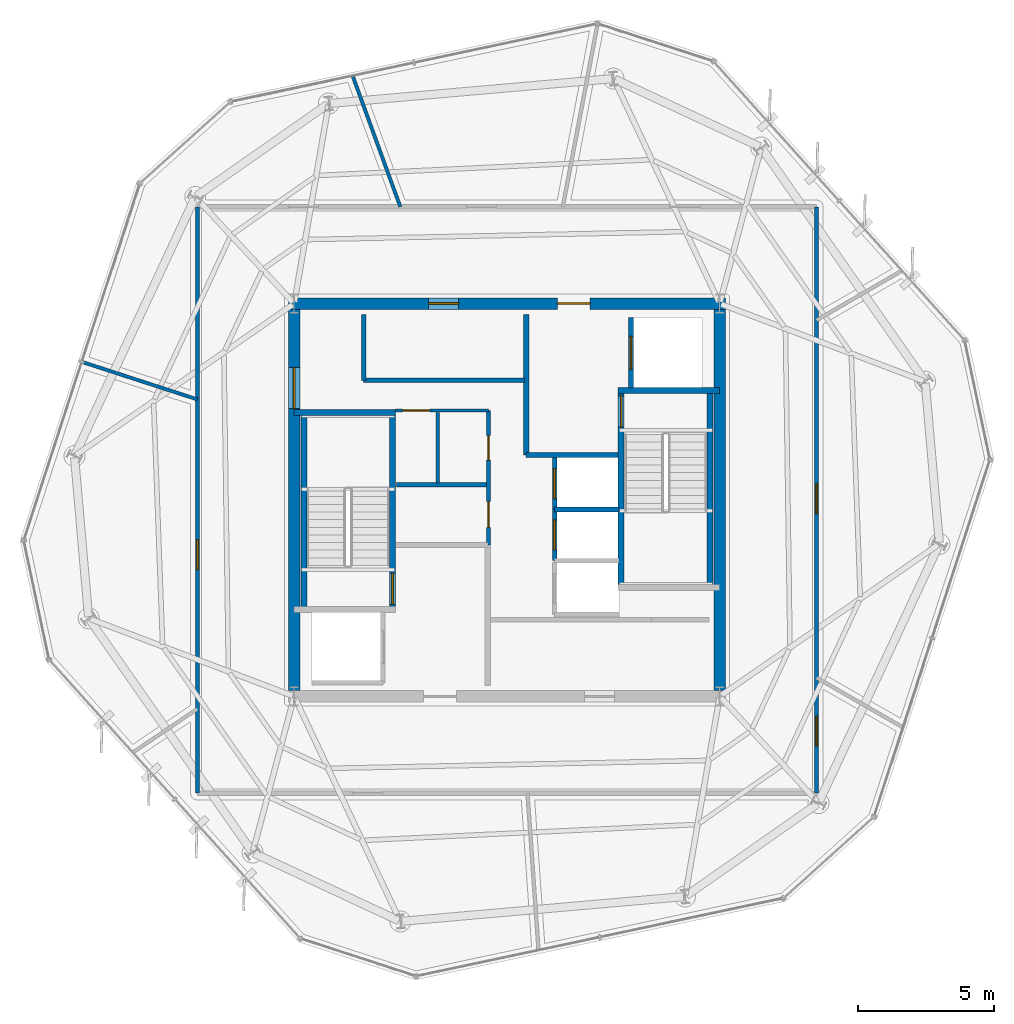
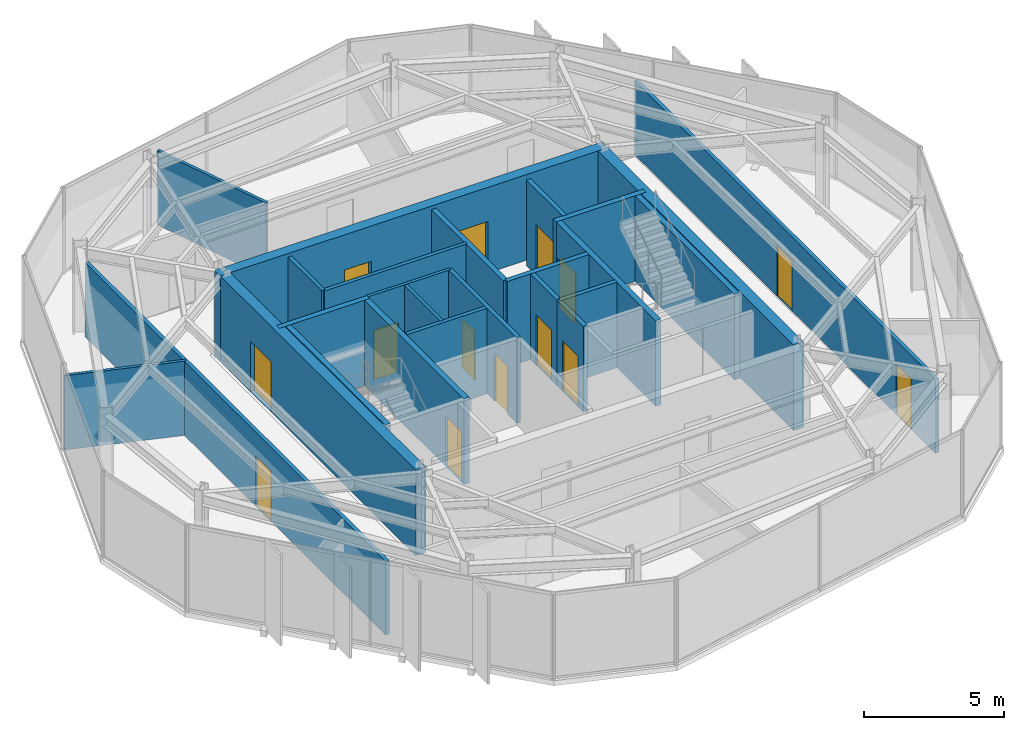
# One storey, part 8 of 13: 25 walls, 14 doors, 14 openings.
"""IFC4 building model written with IfcOpenShell, lengths in metres."""

from ifc_helpers import new_model, si_unit, direction, frame, frame_2d, origin, place, context, subcontext, project, spatial, rectangle, extrude, material, layer, layer_set, type_object, element, fill, save


model = new_model("IFC4")

# Units and contexts
model_context = context("Model", 3, precision=1e-05, world=origin(), true_north=direction((0.0, 1.0)))
body_context = subcontext(model_context, "Body", "Model", "MODEL_VIEW")
ifc_project = project(units=[si_unit("LENGTHUNIT", "METRE"), si_unit("AREAUNIT", "SQUARE_METRE"), si_unit("VOLUMEUNIT", "CUBIC_METRE"), si_unit("PLANEANGLEUNIT", "RADIAN"), si_unit("MASSUNIT", "GRAM", prefix="KILO")], contexts=[model_context])

# Site, building, storey
site_placement = place(None, origin())
site = spatial("IfcSite", under=ifc_project, at=site_placement, CompositionType="ELEMENT")
building_placement = place(site_placement, origin())
building = spatial("IfcBuilding", under=site, at=building_placement, Name="Kranzbogen Civic Tower", CompositionType="ELEMENT")
storey_placement = place(building_placement, frame((0.0, 0.0, 314.199951171875)))
storey = spatial("IfcBuildingStorey", under=building, at=storey_placement, Name="L76", CompositionType="ELEMENT", Elevation=314.199951171875)

# Walls
ifc_material_1 = material(Name="Double-Stud Acoustic Gypsum Partition")
ifc_layer_1 = layer(ifc_material_1, 0.14990234375, Name="Double-Stud Acoustic Gypsum Partition")
ifc_layer_set_1 = layer_set([ifc_layer_1], Name="Double-Stud Acoustic Gypsum Partition")
wall_type_1 = type_object("IfcWallType", Name="Acoustic Corridor and Clinical Partition 150 mm", PredefinedType="PARTITIONING", material=ifc_layer_set_1)
wall_1_placement = place(storey_placement, frame((19.75, 29.389892578125, 0.0), z_axis=(0.0, 0.0, 1.0), x_axis=(1.0, 0.0, 0.0)))
element("IfcWall", 1, at=wall_1_placement, inside=storey, type_object=wall_type_1, Name="L76 digital comms South wall", PredefinedType="PARTITIONING", context=body_context, shape_type="SweptSolid", body=[
    extrude(rectangle(XDim=5.89990234375, YDim=0.14990234375, at=frame_2d((2.949951171875, 0.0))), origin(), (0.0, 0.0, 1.0), 3.739990234375),
])
wall_2_placement = place(storey_placement, frame((19.75, 29.389892578125, 0.0), z_axis=(0.0, 0.0, 1.0), x_axis=(0.0, 1.0, 0.0)))
element("IfcWall", 2, at=wall_2_placement, inside=storey, type_object=wall_type_1, Name="L76 digital comms West wall", PredefinedType="PARTITIONING", context=body_context, shape_type="SweptSolid", body=[
    extrude(rectangle(XDim=2.41015625, YDim=0.14990234375, at=frame_2d((1.205078125, 0.0))), origin(), (0.0, 0.0, 1.0), 3.739990234375),
])

# Wall, openings, doors
wall_3_placement = place(storey_placement, frame((36.35009765625, 35.75, 0.0), z_axis=(0.0, 0.0, 1.0), x_axis=(0.0, -1.0, 0.0)))
wall_3 = element("IfcWall", 3, at=wall_3_placement, inside=storey, type_object=wall_type_1, Name="L76 corridor partition 02", PredefinedType="PARTITIONING", context=body_context, shape_type="SweptSolid", body=[
    extrude(rectangle(XDim=21.5, YDim=0.14990234375, at=frame_2d((10.75, 0.0))), origin(), (0.0, 0.0, 1.0), 3.239990234375),
])
opening_1_placement = place(wall_3_placement, frame((18.673095703125, 0.0, 0.0)))
opening_1 = element("IfcOpeningElement", 4, at=opening_1_placement, cuts=wall_3, Name="Opening D-COR60", PredefinedType="OPENING", context=body_context, shape_type="SweptSolid", body=[
    extrude(rectangle(XDim=1.10009765625, YDim=2.199951171875, at=frame_2d((0.550048828125, 1.10009765625))), frame((0.0, 0.0849609375, 0.0), z_axis=(0.0, -1.0, 0.0), x_axis=(1.0, 0.0, 0.0)), (0.0, 0.0, 1.0), 0.169921875),
])
opening_2_placement = place(wall_3_placement, frame((10.1630859375, 0.0, 0.0)))
opening_2 = element("IfcOpeningElement", 5, at=opening_2_placement, cuts=wall_3, Name="Opening D-COR60", PredefinedType="OPENING", context=body_context, shape_type="SweptSolid", body=[
    extrude(rectangle(XDim=1.10009765625, YDim=2.199951171875, at=frame_2d((0.550048828125, 1.10009765625))), frame((0.0, 0.0849609375, 0.0), z_axis=(0.0, -1.0, 0.0), x_axis=(1.0, 0.0, 0.0)), (0.0, 0.0, 1.0), 0.169921875),
])
ifc_material_2 = material(Name="Oak Timber and Fire Core", Category="wood")
door_type_1 = type_object("IfcDoorType", Name="Corridor Acoustic Fire Door 1100x2200", OperationType="NOTDEFINED", PredefinedType="DOOR", material=ifc_material_2)
door_1_placement = place(opening_1_placement, origin())
door_1 = element("IfcDoor", 6, at=door_1_placement, inside=storey, type_object=door_type_1, Name="L76 Duty Crew Control Room door", OperationType="SINGLE_SWING_RIGHT", OverallHeight=2.199951171875, OverallWidth=1.10009765625, PredefinedType="DOOR", context=body_context, shape_type="SweptSolid", body=[
    extrude(rectangle(XDim=1.10009765625, YDim=2.199951171875, at=frame_2d((0.550048828125, 1.10009765625))), frame((0.0, 0.02490234375, 0.0), z_axis=(0.0, -1.0, 0.0), x_axis=(1.0, 0.0, 0.0)), (0.0, 0.0, 1.0), 0.050048828125),
])
fill(opening_1, door_1)
door_2_placement = place(opening_2_placement, origin())
door_2 = element("IfcDoor", 7, at=door_2_placement, inside=storey, type_object=door_type_1, Name="L76 Citizen Services Kiosk door", OperationType="SINGLE_SWING_LEFT", OverallHeight=2.199951171875, OverallWidth=1.10009765625, PredefinedType="DOOR", context=body_context, shape_type="SweptSolid", body=[
    extrude(rectangle(XDim=1.10009765625, YDim=2.199951171875, at=frame_2d((0.550048828125, 1.10009765625))), frame((0.0, 0.02490234375, 0.0), z_axis=(0.0, -1.0, 0.0), x_axis=(1.0, 0.0, 0.0)), (0.0, 0.0, 1.0), 0.050048828125),
])
fill(opening_2, door_2)

# Wall, opening, door
wall_4_placement = place(storey_placement, frame((13.64990234375, 14.25, 0.0), z_axis=(0.0, 0.0, 1.0), x_axis=(0.0, 1.0, 0.0)))
wall_4 = element("IfcWall", 8, at=wall_4_placement, inside=storey, type_object=wall_type_1, Name="L76 corridor partition 04", PredefinedType="PARTITIONING", context=body_context, shape_type="SweptSolid", body=[
    extrude(rectangle(XDim=21.5, YDim=0.14990234375, at=frame_2d((10.75, 0.0))), origin(), (0.0, 0.0, 1.0), 3.239990234375),
])
opening_3_placement = place(wall_4_placement, frame((8.197021484375, 0.0, 0.0)))
opening_3 = element("IfcOpeningElement", 9, at=opening_3_placement, cuts=wall_4, Name="Opening D-COR60", PredefinedType="OPENING", context=body_context, shape_type="SweptSolid", body=[
    extrude(rectangle(XDim=1.10009765625, YDim=2.199951171875, at=frame_2d((0.550048828125, 1.10009765625))), frame((0.0, 0.0849609375, 0.0), z_axis=(0.0, -1.0, 0.0), x_axis=(1.0, 0.0, 0.0)), (0.0, 0.0, 1.0), 0.169921875),
])
door_3_placement = place(opening_3_placement, origin())
door_3 = element("IfcDoor", 10, at=door_3_placement, inside=storey, type_object=door_type_1, Name="L76 Operations Security Control Room door", OperationType="SINGLE_SWING_RIGHT", OverallHeight=2.199951171875, OverallWidth=1.10009765625, PredefinedType="DOOR", context=body_context, shape_type="SweptSolid", body=[
    extrude(rectangle(XDim=1.10009765625, YDim=2.199951171875, at=frame_2d((0.550048828125, 1.10009765625))), frame((0.0, 0.02490234375, 0.0), z_axis=(0.0, -1.0, 0.0), x_axis=(1.0, 0.0, 0.0)), (0.0, 0.0, 1.0), 0.050048828125),
])
fill(opening_3, door_3)

ifc_material_3 = material(Name="Insulated Metal-Stud Gypsum Partition")
ifc_layer_2 = layer(ifc_material_3, 0.125, Name="Insulated Metal-Stud Gypsum Partition")
ifc_layer_set_2 = layer_set([ifc_layer_2], Name="Insulated Metal-Stud Gypsum Partition")
wall_type_2 = type_object("IfcWallType", Name="Acoustic Inter-Room Partition 125 mm", PredefinedType="PARTITIONING", material=ifc_layer_set_2)
wall_5_placement = place(storey_placement, frame((20.919921875, 28.280029296875, 0.0), z_axis=(0.0, 0.0, 1.0), x_axis=(1.0, 0.0, 0.0)))
wall_5 = element("IfcWall", 11, at=wall_5_placement, inside=storey, type_object=wall_type_2, Name="L76 core auxiliary North wall", PredefinedType="PARTITIONING", context=body_context, shape_type="SweptSolid", body=[
    extrude(rectangle(XDim=3.405029296875, YDim=0.125, at=frame_2d((1.70263671875, 0.0))), origin(), (0.0, 0.0, 1.0), 3.739990234375),
])
opening_4_placement = place(wall_5_placement, frame((0.2548828125, 0.0, 0.0)))
opening_4 = element("IfcOpeningElement", 12, at=opening_4_placement, cuts=wall_5, Name="Opening D-RSR10", PredefinedType="OPENING", context=body_context, shape_type="SweptSolid", body=[
    extrude(rectangle(XDim=1.0, YDim=2.14990234375, at=frame_2d((0.5, 1.074951171875))), frame((0.0, 0.072509765625, 0.0), z_axis=(0.0, -1.0, 0.0), x_axis=(1.0, 0.0, 0.0)), (0.0, 0.0, 1.0), 0.14501953125),
])
door_type_2 = type_object("IfcDoorType", Name="Core Archive and Riser Fire Door 1000x2150", OperationType="NOTDEFINED", PredefinedType="DOOR", material=ifc_material_2)
door_4_placement = place(opening_4_placement, origin())
door_4 = element("IfcDoor", 13, at=door_4_placement, inside=storey, type_object=door_type_2, Name="L76 Telecom and Riser Room door", OperationType="SINGLE_SWING_RIGHT", OverallHeight=2.14990234375, OverallWidth=1.0, PredefinedType="DOOR", context=body_context, shape_type="SweptSolid", body=[
    extrude(rectangle(XDim=1.0, YDim=2.14990234375, at=frame_2d((0.5, 1.074951171875))), frame((0.0, 0.02490234375, 0.0), z_axis=(0.0, -1.0, 0.0), x_axis=(1.0, 0.0, 0.0)), (0.0, 0.0, 1.0), 0.050048828125),
])
fill(opening_4, door_4)

# Walls
wall_6_placement = place(storey_placement, frame((22.4599609375, 25.6201171875, 0.0), z_axis=(0.0, 0.0, 1.0), x_axis=(0.0, 1.0, 0.0)))
element("IfcWall", 14, at=wall_6_placement, inside=storey, type_object=wall_type_2, Name="L76 core auxiliary partition 2", PredefinedType="PARTITIONING", context=body_context, shape_type="SweptSolid", body=[
    extrude(rectangle(XDim=2.579833984375, YDim=0.125, at=frame_2d((1.2900390625, 0.0))), origin(), (0.0, 0.0, 1.0), 3.739990234375),
])
wall_7_placement = place(storey_placement, frame((21.090087890625, 35.75, 0.0), z_axis=(0.0, 0.0, 1.0), x_axis=(-0.341685321623, 0.939814418376, 0.0)))
element("IfcWall", 15, at=wall_7_placement, inside=storey, type_object=wall_type_2, Name="L76 radial room partition 01", PredefinedType="PARTITIONING", context=body_context, shape_type="SweptSolid", body=[
    extrude(rectangle(XDim=5.09228515625, YDim=0.125, at=frame_2d((2.546142578125, 0.0))), origin(), (0.0, 0.0, 1.0), 3.239990234375),
])
wall_8_placement = place(storey_placement, frame((13.64990234375, 28.68798828125, 0.0), z_axis=(0.0, 0.0, 1.0), x_axis=(-0.951060347847, 0.309005201823, 0.0)))
element("IfcWall", 16, at=wall_8_placement, inside=storey, type_object=wall_type_2, Name="L76 radial room partition 02", PredefinedType="PARTITIONING", context=body_context, shape_type="SweptSolid", body=[
    extrude(rectangle(XDim=4.43701171875, YDim=0.125, at=frame_2d((2.218505859375, 0.0))), origin(), (0.0, 0.0, 1.0), 3.239990234375),
])

# Wall, openings, doors
ifc_material_4 = material(Name="Concrete C45/55", Category="concrete")
ifc_layer_3 = layer(ifc_material_4, 0.419921875, Name="Concrete C45/55")
ifc_layer_set_3 = layer_set([ifc_layer_3], Name="Concrete C45/55")
wall_type_3 = type_object("IfcWallType", Name="Central Core Shear Wall 420 mm", PredefinedType="SHEAR", material=ifc_layer_set_3)
wall_9_placement = place(storey_placement, frame((33.010009765625, 32.199951171875, 0.0), z_axis=(0.0, 0.0, 1.0), x_axis=(-1.0, 0.0, 0.0)))
wall_9 = element("IfcWall", 17, at=wall_9_placement, inside=storey, type_object=wall_type_3, Name="L76 central core North shear wall", PredefinedType="SHEAR", context=body_context, shape_type="SweptSolid", body=[
    extrude(rectangle(XDim=16.02001953125, YDim=0.419921875, at=frame_2d((8.010009765625, 0.0))), origin(), (0.0, 0.0, 1.0), 3.739990234375),
])
opening_5_placement = place(wall_9_placement, frame((4.9599609375, 0.0, 0.0)))
opening_5 = element("IfcOpeningElement", 18, at=opening_5_placement, cuts=wall_9, Name="Opening D-EX120", PredefinedType="OPENING", context=body_context, shape_type="SweptSolid", body=[
    extrude(rectangle(XDim=1.199951171875, YDim=2.25, at=frame_2d((0.60009765625, 1.125))), frame((0.0, 0.219970703125, 0.0), z_axis=(0.0, -1.0, 0.0), x_axis=(1.0, 0.0, 0.0)), (0.0, 0.0, 1.0), 0.43994140625),
])
opening_6_placement = place(wall_9_placement, frame((9.784912109375, 0.0, 0.0)))
opening_6 = element("IfcOpeningElement", 19, at=opening_6_placement, cuts=wall_9, Name="Opening D-COR60", PredefinedType="OPENING", context=body_context, shape_type="SweptSolid", body=[
    extrude(rectangle(XDim=1.10009765625, YDim=2.199951171875, at=frame_2d((0.550048828125, 1.10009765625))), frame((0.0, 0.219970703125, 0.0), z_axis=(0.0, -1.0, 0.0), x_axis=(1.0, 0.0, 0.0)), (0.0, 0.0, 1.0), 0.43994140625),
])
door_5_placement = place(opening_6_placement, origin())
door_5 = element("IfcDoor", 20, at=door_5_placement, inside=storey, type_object=door_type_1, Name="L76 DAT1 comms room door", OperationType="SINGLE_SWING_LEFT", OverallHeight=2.199951171875, OverallWidth=1.10009765625, PredefinedType="DOOR", context=body_context, shape_type="SweptSolid", body=[
    extrude(rectangle(XDim=1.10009765625, YDim=2.199951171875, at=frame_2d((0.550048828125, 1.10009765625))), frame((0.0, 0.02490234375, 0.0), z_axis=(0.0, -1.0, 0.0), x_axis=(1.0, 0.0, 0.0)), (0.0, 0.0, 1.0), 0.050048828125),
])
fill(opening_6, door_5)
ifc_material_5 = material(Name="Steel S355", Category="steel")
door_type_3 = type_object("IfcDoorType", Name="Exit Passageway Fire Door 1200x2250", OperationType="NOTDEFINED", PredefinedType="DOOR", material=ifc_material_5)
door_6_placement = place(opening_5_placement, origin())
door_6 = element("IfcDoor", 21, at=door_6_placement, inside=storey, type_object=door_type_3, Name="L76 East firefighting lobby corridor door", OperationType="SINGLE_SWING_RIGHT", OverallHeight=2.25, OverallWidth=1.199951171875, PredefinedType="DOOR", context=body_context, shape_type="SweptSolid", body=[
    extrude(rectangle(XDim=1.199951171875, YDim=2.25, at=frame_2d((0.60009765625, 1.125))), frame((0.0, 0.02490234375, 0.0), z_axis=(0.0, -1.0, 0.0), x_axis=(1.0, 0.0, 0.0)), (0.0, 0.0, 1.0), 0.050048828125),
])
fill(opening_5, door_6)

# Wall, opening, door
wall_10_placement = place(storey_placement, frame((17.199951171875, 31.989990234375, 0.0), z_axis=(0.0, 0.0, 1.0), x_axis=(0.0, -1.0, 0.0)))
wall_10 = element("IfcWall", 22, at=wall_10_placement, inside=storey, type_object=wall_type_3, Name="L76 central core West shear wall", PredefinedType="SHEAR", context=body_context, shape_type="SweptSolid", body=[
    extrude(rectangle(XDim=13.97998046875, YDim=0.419921875, at=frame_2d((6.989990234375, 0.0))), origin(), (0.0, 0.0, 1.0), 3.739990234375),
])
opening_7_placement = place(wall_10_placement, frame((2.139892578125, 0.0, 0.0)))
opening_7 = element("IfcOpeningElement", 23, at=opening_7_placement, cuts=wall_10, Name="Opening D-DBL15", PredefinedType="OPENING", context=body_context, shape_type="SweptSolid", body=[
    extrude(rectangle(XDim=1.5, YDim=2.199951171875, at=frame_2d((0.75, 1.10009765625))), frame((0.0, 0.219970703125, 0.0), z_axis=(0.0, -1.0, 0.0), x_axis=(1.0, 0.0, 0.0)), (0.0, 0.0, 1.0), 0.43994140625),
])
ifc_material_6 = material(Name="Anodised Bronze and Glass", Category="glass")
door_type_4 = type_object("IfcDoorType", Name="Civic Lobby Double Door 1500x2200", OperationType="DOUBLE_DOOR_SINGLE_SWING", PredefinedType="DOOR", material=ifc_material_6)
door_7_placement = place(opening_7_placement, origin())
door_7 = element("IfcDoor", 24, at=door_7_placement, inside=storey, type_object=door_type_4, Name="L76 Central Lift Lobby West concourse door", OperationType="DOUBLE_DOOR_SINGLE_SWING", OverallHeight=2.199951171875, OverallWidth=1.5, PredefinedType="DOOR", context=body_context, shape_type="SweptSolid", body=[
    extrude(rectangle(XDim=1.5, YDim=2.199951171875, at=frame_2d((0.75, 1.10009765625))), frame((0.0, 0.02490234375, 0.0), z_axis=(0.0, -1.0, 0.0), x_axis=(1.0, 0.0, 0.0)), (0.0, 0.0, 1.0), 0.050048828125),
])
fill(opening_7, door_7)

# Wall
wall_11_placement = place(storey_placement, frame((32.800048828125, 18.010009765625, 0.0), z_axis=(0.0, 0.0, 1.0), x_axis=(0.0, 1.0, 0.0)))
element("IfcWall", 25, at=wall_11_placement, inside=storey, type_object=wall_type_3, Name="L76 central core East shear wall", PredefinedType="SHEAR", context=body_context, shape_type="SweptSolid", body=[
    extrude(rectangle(XDim=13.97998046875, YDim=0.419921875, at=frame_2d((6.989990234375, 0.0))), origin(), (0.0, 0.0, 1.0), 3.739990234375),
])

# Wall, opening, door
ifc_layer_4 = layer(ifc_material_4, 0.219970703125, Name="Concrete C45/55")
ifc_layer_set_4 = layer_set([ifc_layer_4], Name="Concrete C45/55")
wall_type_4 = type_object("IfcWallType", Name="Core Internal Stair Structural Wall 220 mm", PredefinedType="SOLIDWALL", material=ifc_layer_set_4)
wall_12_placement = place(storey_placement, frame((20.81005859375, 20.989990234375, 0.0), z_axis=(0.0, 0.0, 1.0), x_axis=(0.0, 1.0, 0.0)))
wall_12 = element("IfcWall", 26, at=wall_12_placement, inside=storey, type_object=wall_type_4, Name="L76 ST-T1 East structural stair wall", PredefinedType="SOLIDWALL", context=body_context, shape_type="SweptSolid", body=[
    extrude(rectangle(XDim=7.219970703125, YDim=0.219970703125, at=frame_2d((3.60986328125, 0.0))), origin(), (0.0, 0.0, 1.0), 3.739990234375),
])
opening_8_placement = place(wall_12_placement, frame((0.179931640625, 0.0, 0.0)))
opening_8 = element("IfcOpeningElement", 27, at=opening_8_placement, cuts=wall_12, Name="Opening D-ST90", PredefinedType="OPENING", context=body_context, shape_type="SweptSolid", body=[
    extrude(rectangle(XDim=1.14990234375, YDim=2.199951171875, at=frame_2d((0.574951171875, 1.10009765625))), frame((0.0, 0.1201171875, 0.0), z_axis=(0.0, -1.0, 0.0), x_axis=(1.0, 0.0, 0.0)), (0.0, 0.0, 1.0), 0.239990234375),
])
door_type_5 = type_object("IfcDoorType", Name="Pressurized Stair and Lobby Fire Door 1150x2200", OperationType="NOTDEFINED", PredefinedType="DOOR", material=ifc_material_5)
door_8_placement = place(opening_8_placement, origin())
door_8 = element("IfcDoor", 28, at=door_8_placement, inside=storey, type_object=door_type_5, Name="L76 Stair ST-T1 fire door", OperationType="SINGLE_SWING_LEFT", OverallHeight=2.199951171875, OverallWidth=1.14990234375, PredefinedType="DOOR", context=body_context, shape_type="SweptSolid", body=[
    extrude(rectangle(XDim=1.14990234375, YDim=2.199951171875, at=frame_2d((0.574951171875, 1.10009765625))), frame((0.0, 0.02490234375, 0.0), z_axis=(0.0, -1.0, 0.0), x_axis=(1.0, 0.0, 0.0)), (0.0, 0.0, 1.0), 0.050048828125),
])
fill(opening_8, door_8)

# Walls
wall_13_placement = place(storey_placement, frame((17.199951171875, 28.2099609375, 0.0), z_axis=(0.0, 0.0, 1.0), x_axis=(1.0, 0.0, 0.0)))
element("IfcWall", 29, at=wall_13_placement, inside=storey, type_object=wall_type_4, Name="L76 ST-T1 North structural stair wall", PredefinedType="SOLIDWALL", context=body_context, shape_type="SweptSolid", body=[
    extrude(rectangle(XDim=3.719970703125, YDim=0.219970703125, at=frame_2d((1.85986328125, 0.0))), origin(), (0.0, 0.0, 1.0), 3.739990234375),
])
wall_14_placement = place(storey_placement, frame((17.554931640625, 28.2099609375, 0.0), z_axis=(0.0, 0.0, 1.0), x_axis=(0.0, -1.0, 0.0)))
element("IfcWall", 30, at=wall_14_placement, inside=storey, type_object=wall_type_4, Name="L76 ST-T1 West structural stair wall", PredefinedType="SOLIDWALL", context=body_context, shape_type="SweptSolid", body=[
    extrude(rectangle(XDim=7.219970703125, YDim=0.219970703125, at=frame_2d((3.60986328125, 0.0))), origin(), (0.0, 0.0, 1.0), 3.739990234375),
])

# Wall, opening, door
wall_15_placement = place(storey_placement, frame((29.18994140625, 21.7900390625, 0.0), z_axis=(0.0, 0.0, 1.0), x_axis=(0.0, 1.0, 0.0)))
wall_15 = element("IfcWall", 31, at=wall_15_placement, inside=storey, type_object=wall_type_4, Name="L76 ST-T2 West structural stair wall", PredefinedType="SOLIDWALL", context=body_context, shape_type="SweptSolid", body=[
    extrude(rectangle(XDim=7.219970703125, YDim=0.219970703125, at=frame_2d((3.60986328125, 0.0))), origin(), (0.0, 0.0, 1.0), 3.739990234375),
])
opening_9_placement = place(wall_15_placement, frame((5.8798828125, 0.0, 0.0)))
opening_9 = element("IfcOpeningElement", 32, at=opening_9_placement, cuts=wall_15, Name="Opening D-ST90", PredefinedType="OPENING", context=body_context, shape_type="SweptSolid", body=[
    extrude(rectangle(XDim=1.14990234375, YDim=2.199951171875, at=frame_2d((0.574951171875, 1.10009765625))), frame((0.0, 0.1201171875, 0.0), z_axis=(0.0, -1.0, 0.0), x_axis=(1.0, 0.0, 0.0)), (0.0, 0.0, 1.0), 0.239990234375),
])
door_9_placement = place(opening_9_placement, origin())
door_9 = element("IfcDoor", 33, at=door_9_placement, inside=storey, type_object=door_type_5, Name="L76 Stair ST-T2 fire door", OperationType="SINGLE_SWING_RIGHT", OverallHeight=2.199951171875, OverallWidth=1.14990234375, PredefinedType="DOOR", context=body_context, shape_type="SweptSolid", body=[
    extrude(rectangle(XDim=1.14990234375, YDim=2.199951171875, at=frame_2d((0.574951171875, 1.10009765625))), frame((0.0, 0.02490234375, 0.0), z_axis=(0.0, -1.0, 0.0), x_axis=(1.0, 0.0, 0.0)), (0.0, 0.0, 1.0), 0.050048828125),
])
fill(opening_9, door_9)

# Walls
wall_16_placement = place(storey_placement, frame((29.080078125, 29.010009765625, 0.0), z_axis=(0.0, 0.0, 1.0), x_axis=(1.0, 0.0, 0.0)))
element("IfcWall", 34, at=wall_16_placement, inside=storey, type_object=wall_type_4, Name="L76 ST-T2 North structural stair wall", PredefinedType="SOLIDWALL", context=body_context, shape_type="SweptSolid", body=[
    extrude(rectangle(XDim=3.719970703125, YDim=0.219970703125, at=frame_2d((1.85986328125, 0.0))), origin(), (0.0, 0.0, 1.0), 3.739990234375),
])
wall_17_placement = place(storey_placement, frame((32.445068359375, 29.010009765625, 0.0), z_axis=(0.0, 0.0, 1.0), x_axis=(0.0, -1.0, 0.0)))
element("IfcWall", 35, at=wall_17_placement, inside=storey, type_object=wall_type_4, Name="L76 ST-T2 East structural stair wall", PredefinedType="SOLIDWALL", context=body_context, shape_type="SweptSolid", body=[
    extrude(rectangle(XDim=7.219970703125, YDim=0.219970703125, at=frame_2d((3.60986328125, 0.0))), origin(), (0.0, 0.0, 1.0), 3.739990234375),
])
ifc_material_7 = material(Name="Gypsum Fireboard and Concrete Block", Category="concrete")
ifc_layer_5 = layer(ifc_material_7, 0.199951171875, Name="Gypsum Fireboard and Concrete Block")
ifc_layer_set_5 = layer_set([ifc_layer_5], Name="Gypsum Fireboard and Concrete Block")
wall_type_5 = type_object("IfcWallType", Name="Fire-Rated Exit Passageway and Stair Wall 200 mm", PredefinedType="PARTITIONING", material=ifc_layer_set_5)
wall_18_placement = place(storey_placement, frame((25.699951171875, 26.64990234375, 0.0), z_axis=(0.0, 0.0, 1.0), x_axis=(0.0, 1.0, 0.0)))
element("IfcWall", 36, at=wall_18_placement, inside=storey, type_object=wall_type_5, Name="L76 East firefighting lobby West wall", PredefinedType="PARTITIONING", context=body_context, shape_type="SweptSolid", body=[
    extrude(rectangle(XDim=5.150146484375, YDim=0.199951171875, at=frame_2d((2.5751953125, 0.0))), origin(), (0.0, 0.0, 1.0), 3.739990234375),
])
wall_19_placement = place(storey_placement, frame((25.699951171875, 26.64990234375, 0.0), z_axis=(0.0, 0.0, 1.0), x_axis=(1.0, 0.0, 0.0)))
element("IfcWall", 37, at=wall_19_placement, inside=storey, type_object=wall_type_5, Name="L76 East firefighting lobby South wall", PredefinedType="PARTITIONING", context=body_context, shape_type="SweptSolid", body=[
    extrude(rectangle(XDim=3.380126953125, YDim=0.199951171875, at=frame_2d((1.68994140625, 0.0))), origin(), (0.0, 0.0, 1.0), 3.739990234375),
])

# Wall, opening, door
ifc_material_8 = material(Name="Gypsum Fireboard Shaftliner")
ifc_layer_6 = layer(ifc_material_8, 0.175048828125, Name="Gypsum Fireboard Shaftliner")
ifc_layer_set_6 = layer_set([ifc_layer_6], Name="Gypsum Fireboard Shaftliner")
wall_type_6 = type_object("IfcWallType", Name="Fire-Rated Lift and Service Shaft Wall 175 mm", PredefinedType="PARTITIONING", material=ifc_layer_set_6)
wall_20_placement = place(storey_placement, frame((26.75, 22.77490234375, 0.0), z_axis=(0.0, 0.0, 1.0), x_axis=(0.0, 1.0, 0.0)))
wall_20 = element("IfcWall", 38, at=wall_20_placement, inside=storey, type_object=wall_type_6, Name="L76 lift HP-02 landing wall", PredefinedType="PARTITIONING", context=body_context, shape_type="SweptSolid", body=[
    extrude(rectangle(XDim=1.900146484375, YDim=0.175048828125, at=frame_2d((0.9501953125, 0.0))), origin(), (0.0, 0.0, 1.0), 3.739990234375),
])
opening_10_placement = place(wall_20_placement, frame((0.39990234375, 0.0, 0.0)))
opening_10 = element("IfcOpeningElement", 39, at=opening_10_placement, cuts=wall_20, Name="Opening LD-HP-02", PredefinedType="OPENING", context=body_context, shape_type="SweptSolid", body=[
    extrude(rectangle(XDim=1.10009765625, YDim=2.199951171875, at=frame_2d((0.550048828125, 1.10009765625))), frame((0.0, 0.09765625, 0.0), z_axis=(0.0, -1.0, 0.0), x_axis=(1.0, 0.0, 0.0)), (0.0, 0.0, 1.0), 0.195068359375),
])
ifc_material_9 = material(Name="Pale Anodised Aluminium", Category="aluminium")
door_type_6 = type_object("IfcDoorType", Name="Passenger Lift Sliding Landing Door 1100x2200", OperationType="DOUBLE_DOOR_SLIDING", PredefinedType="DOOR", material=ifc_material_9)
door_10_placement = place(opening_10_placement, origin())
door_10 = element("IfcDoor", 40, at=door_10_placement, inside=storey, type_object=door_type_6, Name="L76 lift HP-02 sliding landing door", OperationType="DOUBLE_DOOR_SLIDING", OverallHeight=2.199951171875, OverallWidth=1.10009765625, PredefinedType="DOOR", context=body_context, shape_type="SweptSolid", body=[
    extrude(rectangle(XDim=1.10009765625, YDim=2.199951171875, at=frame_2d((0.550048828125, 1.10009765625))), frame((0.0, 0.02490234375, 0.0), z_axis=(0.0, -1.0, 0.0), x_axis=(1.0, 0.0, 0.0)), (0.0, 0.0, 1.0), 0.050048828125),
])
fill(opening_10, door_10)

wall_21_placement = place(storey_placement, frame((26.75, 24.64990234375, 0.0), z_axis=(0.0, 0.0, 1.0), x_axis=(0.0, 1.0, 0.0)))
wall_21 = element("IfcWall", 41, at=wall_21_placement, inside=storey, type_object=wall_type_6, Name="L76 lift HP-03 landing wall", PredefinedType="PARTITIONING", context=body_context, shape_type="SweptSolid", body=[
    extrude(rectangle(XDim=1.900146484375, YDim=0.175048828125, at=frame_2d((0.9501953125, 0.0))), origin(), (0.0, 0.0, 1.0), 3.739990234375),
])
opening_11_placement = place(wall_21_placement, frame((0.39990234375, 0.0, 0.0)))
opening_11 = element("IfcOpeningElement", 42, at=opening_11_placement, cuts=wall_21, Name="Opening LD-HP-03", PredefinedType="OPENING", context=body_context, shape_type="SweptSolid", body=[
    extrude(rectangle(XDim=1.10009765625, YDim=2.199951171875, at=frame_2d((0.550048828125, 1.10009765625))), frame((0.0, 0.09765625, 0.0), z_axis=(0.0, -1.0, 0.0), x_axis=(1.0, 0.0, 0.0)), (0.0, 0.0, 1.0), 0.195068359375),
])
door_11_placement = place(opening_11_placement, origin())
door_11 = element("IfcDoor", 43, at=door_11_placement, inside=storey, type_object=door_type_6, Name="L76 lift HP-03 sliding landing door", OperationType="DOUBLE_DOOR_SLIDING", OverallHeight=2.199951171875, OverallWidth=1.10009765625, PredefinedType="DOOR", context=body_context, shape_type="SweptSolid", body=[
    extrude(rectangle(XDim=1.10009765625, YDim=2.199951171875, at=frame_2d((0.550048828125, 1.10009765625))), frame((0.0, 0.02490234375, 0.0), z_axis=(0.0, -1.0, 0.0), x_axis=(1.0, 0.0, 0.0)), (0.0, 0.0, 1.0), 0.050048828125),
])
fill(opening_11, door_11)

# Wall
wall_22_placement = place(storey_placement, frame((26.75, 24.64990234375, 0.0), z_axis=(0.0, 0.0, 1.0), x_axis=(1.0, 0.0, 0.0)))
element("IfcWall", 44, at=wall_22_placement, inside=storey, type_object=wall_type_6, Name="L76 lift HP-03 side wall", PredefinedType="PARTITIONING", context=body_context, shape_type="SweptSolid", body=[
    extrude(rectangle(XDim=2.35009765625, YDim=0.175048828125, at=frame_2d((1.175048828125, 0.0))), origin(), (0.0, 0.0, 1.0), 3.739990234375),
])

# Wall, opening, door
wall_23_placement = place(storey_placement, frame((29.550048828125, 29.10009765625, 0.0), z_axis=(0.0, 0.0, 1.0), x_axis=(0.0, 1.0, 0.0)))
wall_23 = element("IfcWall", 45, at=wall_23_placement, inside=storey, type_object=wall_type_6, Name="L76 lift FF-02 landing wall", PredefinedType="PARTITIONING", context=body_context, shape_type="SweptSolid", body=[
    extrude(rectangle(XDim=2.599853515625, YDim=0.175048828125, at=frame_2d((1.2998046875, 0.0))), origin(), (0.0, 0.0, 1.0), 3.739990234375),
])
opening_12_placement = place(wall_23_placement, frame((0.699951171875, 0.0, 0.0)))
opening_12 = element("IfcOpeningElement", 46, at=opening_12_placement, cuts=wall_23, Name="Opening LD-FF-02", PredefinedType="OPENING", context=body_context, shape_type="SweptSolid", body=[
    extrude(rectangle(XDim=1.199951171875, YDim=2.199951171875, at=frame_2d((0.60009765625, 1.10009765625))), frame((0.0, 0.09765625, 0.0), z_axis=(0.0, -1.0, 0.0), x_axis=(1.0, 0.0, 0.0)), (0.0, 0.0, 1.0), 0.195068359375),
])
door_type_7 = type_object("IfcDoorType", Name="Firefighting and Stretcher Lift Sliding Landing Door 1200x2200", OperationType="DOUBLE_DOOR_SLIDING", PredefinedType="DOOR", material=ifc_material_9)
door_12_placement = place(opening_12_placement, origin())
door_12 = element("IfcDoor", 47, at=door_12_placement, inside=storey, type_object=door_type_7, Name="L76 lift FF-02 sliding landing door", OperationType="DOUBLE_DOOR_SLIDING", OverallHeight=2.199951171875, OverallWidth=1.199951171875, PredefinedType="DOOR", context=body_context, shape_type="SweptSolid", body=[
    extrude(rectangle(XDim=1.199951171875, YDim=2.199951171875, at=frame_2d((0.60009765625, 1.10009765625))), frame((0.0, 0.02490234375, 0.0), z_axis=(0.0, -1.0, 0.0), x_axis=(1.0, 0.0, 0.0)), (0.0, 0.0, 1.0), 0.050048828125),
])
fill(opening_12, door_12)

# Wall, openings, doors
ifc_material_10 = material(Name="Moisture-Resistant Gypsum Assembly")
ifc_layer_7 = layer(ifc_material_10, 0.159912109375, Name="Moisture-Resistant Gypsum Assembly")
ifc_layer_set_7 = layer_set([ifc_layer_7], Name="Moisture-Resistant Gypsum Assembly")
wall_type_7 = type_object("IfcWallType", Name="Sanitary and Plumbing Wet Wall 160 mm", PredefinedType="PLUMBINGWALL", material=ifc_layer_set_7)
wall_24_placement = place(storey_placement, frame((24.324951171875, 23.35009765625, 0.0), z_axis=(0.0, 0.0, 1.0), x_axis=(0.0, 1.0, 0.0)))
wall_24 = element("IfcWall", 48, at=wall_24_placement, inside=storey, type_object=wall_type_7, Name="L76 core auxiliary East wall", PredefinedType="PLUMBINGWALL", context=body_context, shape_type="SweptSolid", body=[
    extrude(rectangle(XDim=4.929931640625, YDim=0.159912109375, at=frame_2d((2.46484375, 0.0))), origin(), (0.0, 0.0, 1.0), 3.739990234375),
])
opening_13_placement = place(wall_24_placement, frame((0.64990234375, 0.0, 0.0)))
opening_13 = element("IfcOpeningElement", 49, at=opening_13_placement, cuts=wall_24, Name="Opening D-AWC95", PredefinedType="OPENING", context=body_context, shape_type="SweptSolid", body=[
    extrude(rectangle(XDim=0.949951171875, YDim=2.10009765625, at=frame_2d((0.47509765625, 1.050048828125))), frame((0.0, 0.08984375, 0.0), z_axis=(0.0, -1.0, 0.0), x_axis=(1.0, 0.0, 0.0)), (0.0, 0.0, 1.0), 0.179931640625),
])
opening_14_placement = place(wall_24_placement, frame((3.110107421875, 0.0, 0.0)))
opening_14 = element("IfcOpeningElement", 50, at=opening_14_placement, cuts=wall_24, Name="Opening D-WC90", PredefinedType="OPENING", context=body_context, shape_type="SweptSolid", body=[
    extrude(rectangle(XDim=0.89990234375, YDim=2.10009765625, at=frame_2d((0.449951171875, 1.050048828125))), frame((0.0, 0.08984375, 0.0), z_axis=(0.0, -1.0, 0.0), x_axis=(1.0, 0.0, 0.0)), (0.0, 0.0, 1.0), 0.179931640625),
])
ifc_material_11 = material(Name="Moisture-Resistant Laminate")
door_type_8 = type_object("IfcDoorType", Name="Accessible Restroom Door 950x2100", OperationType="NOTDEFINED", PredefinedType="DOOR", material=ifc_material_11)
door_13_placement = place(opening_13_placement, origin())
door_13 = element("IfcDoor", 51, at=door_13_placement, inside=storey, type_object=door_type_8, Name="L76 Accessible Restroom door", OperationType="SINGLE_SWING_LEFT", OverallHeight=2.10009765625, OverallWidth=0.949951171875, PredefinedType="DOOR", context=body_context, shape_type="SweptSolid", body=[
    extrude(rectangle(XDim=0.949951171875, YDim=2.10009765625, at=frame_2d((0.47509765625, 1.050048828125))), frame((0.0, 0.02490234375, 0.0), z_axis=(0.0, -1.0, 0.0), x_axis=(1.0, 0.0, 0.0)), (0.0, 0.0, 1.0), 0.050048828125),
])
fill(opening_13, door_13)
door_type_9 = type_object("IfcDoorType", Name="Standard Restroom and Store Door 900x2100", OperationType="NOTDEFINED", PredefinedType="DOOR", material=ifc_material_11)
door_14_placement = place(opening_14_placement, origin())
door_14 = element("IfcDoor", 52, at=door_14_placement, inside=storey, type_object=door_type_9, Name="L76 Staff Restroom door", OperationType="SINGLE_SWING_LEFT", OverallHeight=2.10009765625, OverallWidth=0.89990234375, PredefinedType="DOOR", context=body_context, shape_type="SweptSolid", body=[
    extrude(rectangle(XDim=0.89990234375, YDim=2.10009765625, at=frame_2d((0.449951171875, 1.050048828125))), frame((0.0, 0.02490234375, 0.0), z_axis=(0.0, -1.0, 0.0), x_axis=(1.0, 0.0, 0.0)), (0.0, 0.0, 1.0), 0.050048828125),
])
fill(opening_14, door_14)

# Wall
wall_25_placement = place(storey_placement, frame((20.949951171875, 25.56005859375, 0.0), z_axis=(0.0, 0.0, 1.0), x_axis=(1.0, 0.0, 0.0)))
element("IfcWall", 53, at=wall_25_placement, inside=storey, type_object=wall_type_7, Name="L76 core auxiliary partition 1", PredefinedType="PLUMBINGWALL", context=body_context, shape_type="SweptSolid", body=[
    extrude(rectangle(XDim=3.300048828125, YDim=0.159912109375, at=frame_2d((1.64990234375, 0.0))), origin(), (0.0, 0.0, 1.0), 3.739990234375),
])

save(model, "model.ifc")
